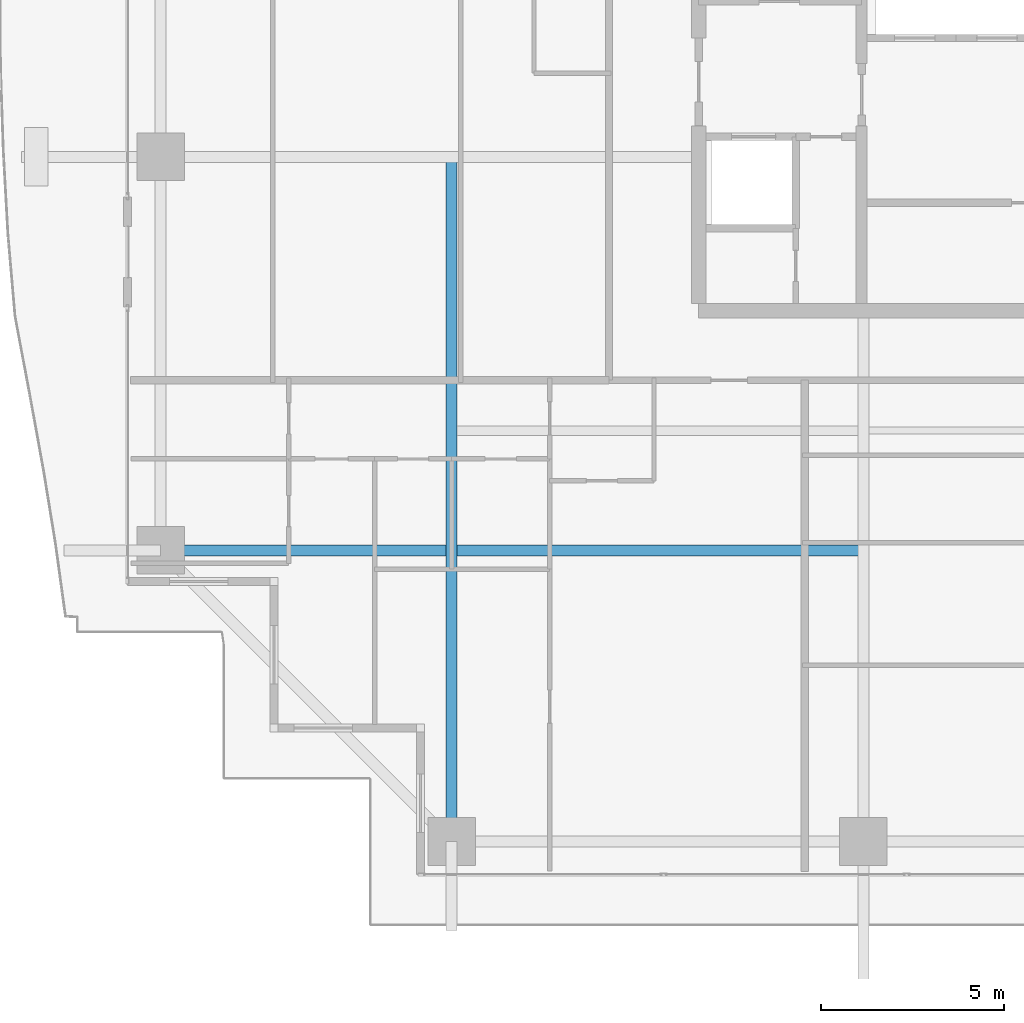
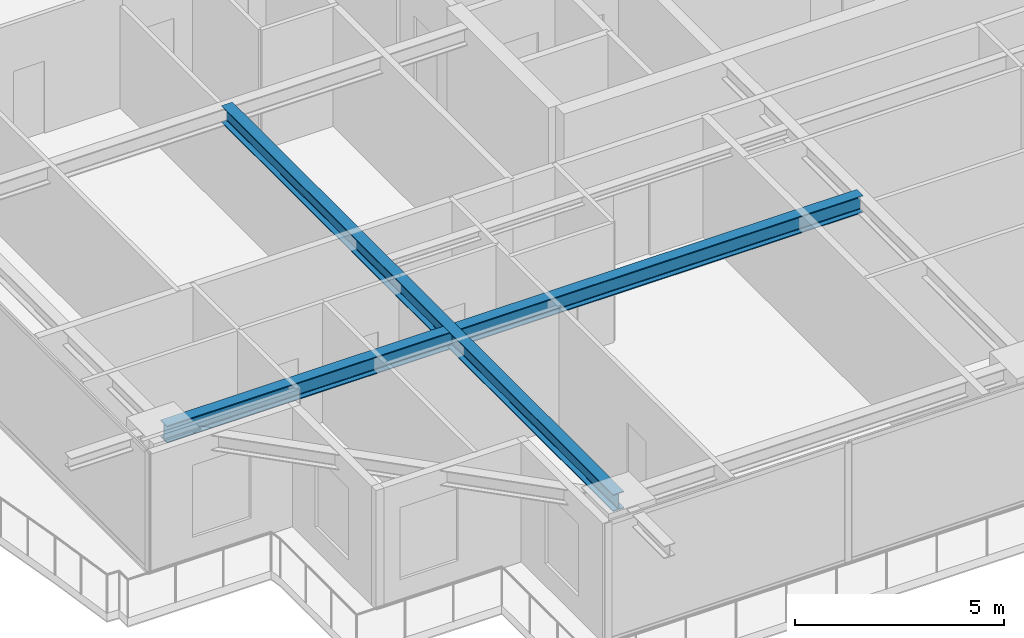
# One storey, part 4 of 38: 2 beams.
"""IFC4 building model written with IfcOpenShell, lengths in metres."""

from ifc_helpers import new_model, si_unit, direction, frame, origin, origin_2d, place, context, subcontext, project, spatial, i_section, extrude, source, transform, mapped, material, material_profile, profile_set, type_object, element, save


model = new_model("IFC4")

# Units and contexts
model_context = context("Model", 3, precision=1e-05, world=origin(), true_north=direction((0.0, 1.0)))
body_context = subcontext(model_context, "Body", "Model", "MODEL_VIEW")
ifc_project = project(units=[si_unit("LENGTHUNIT", "METRE"), si_unit("AREAUNIT", "SQUARE_METRE"), si_unit("VOLUMEUNIT", "CUBIC_METRE"), si_unit("PLANEANGLEUNIT", "RADIAN"), si_unit("MASSUNIT", "GRAM", prefix="KILO")], contexts=[model_context])

# Site, building, storey
site_placement = place(None, origin())
site = spatial("IfcSite", under=ifc_project, at=site_placement, CompositionType="ELEMENT")
building_placement = place(site_placement, origin())
building = spatial("IfcBuilding", under=site, at=building_placement, Name="Serunith Strait Residences", CompositionType="ELEMENT")
storey_placement = place(building_placement, frame((0.0, 0.0, 183.89990234375)))
storey = spatial("IfcBuildingStorey", under=building, at=storey_placement, Name="L46", CompositionType="ELEMENT", Elevation=183.89990234375)

# Beams
ifc_material = material(Name="Steel S355J2", Category="steel")
ifc_material_profile = material_profile(ifc_material, i_section(OverallWidth=0.300048828125, OverallDepth=0.5, WebThickness=0.014404296875, FlangeThickness=0.028076171875, FilletRadius=0.027099609375, at=origin_2d()), Name="HEB 500")
ifc_profile_set = profile_set([ifc_material_profile], Name="Steel S355J2")
beam_type = type_object("IfcBeamType", Name="BM-HEB500", PredefinedType="BEAM", material=ifc_profile_set)
shared_shape_1 = source(origin(), body_context, "Body", "SweptSolid", [
    extrude(i_section(OverallWidth=0.300048828125, OverallDepth=0.5, WebThickness=0.014404296875, FlangeThickness=0.028076171875, FilletRadius=0.027099609375, at=origin_2d()), origin(), (0.0, 0.0, 1.0), 18.699951171875),
])
beam_1_placement = place(storey_placement, frame((16.64990234375, 21.0, 3.237060546875), z_axis=(0.0, -1.0, 0.0), x_axis=(1.0, 0.0, 0.0)))
element("IfcBeam", 1, at=beam_1_placement, inside=storey, type_object=beam_type, Name="L46 Orthogonal Corner Girder TC-S1", PredefinedType="BEAM", context=body_context, shape_type="MappedRepresentation", body=[
    mapped(shared_shape_1, transform((0.0, 0.0, 0.0), scale=1.0)),
])
shared_shape_2 = source(origin(), body_context, "Body", "SweptSolid", [
    extrude(i_section(OverallWidth=0.300048828125, OverallDepth=0.5, WebThickness=0.014404296875, FlangeThickness=0.028076171875, FilletRadius=0.027099609375, at=origin_2d()), origin(), (0.0, 0.0, 1.0), 19.199951171875),
])
beam_2_placement = place(storey_placement, frame((27.89990234375, 10.25, 3.237060546875), z_axis=(-1.0, 0.0, 0.0), x_axis=(0.0, -1.0, 0.0)))
element("IfcBeam", 2, at=beam_2_placement, inside=storey, type_object=beam_type, Name="L46 Orthogonal Corner Girder TC-W1", PredefinedType="BEAM", context=body_context, shape_type="MappedRepresentation", body=[
    mapped(shared_shape_2, transform((0.0, 0.0, 0.0), scale=1.0)),
])

save(model, "model.ifc")
